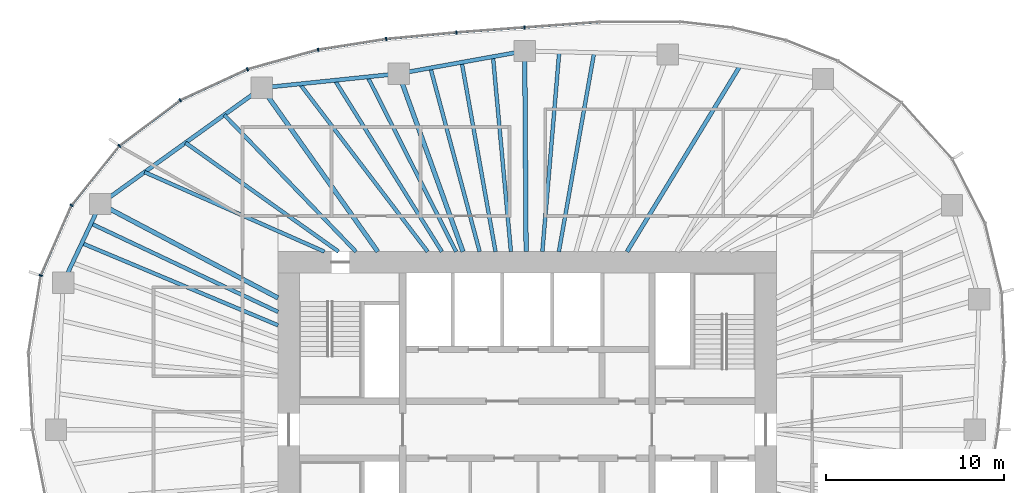
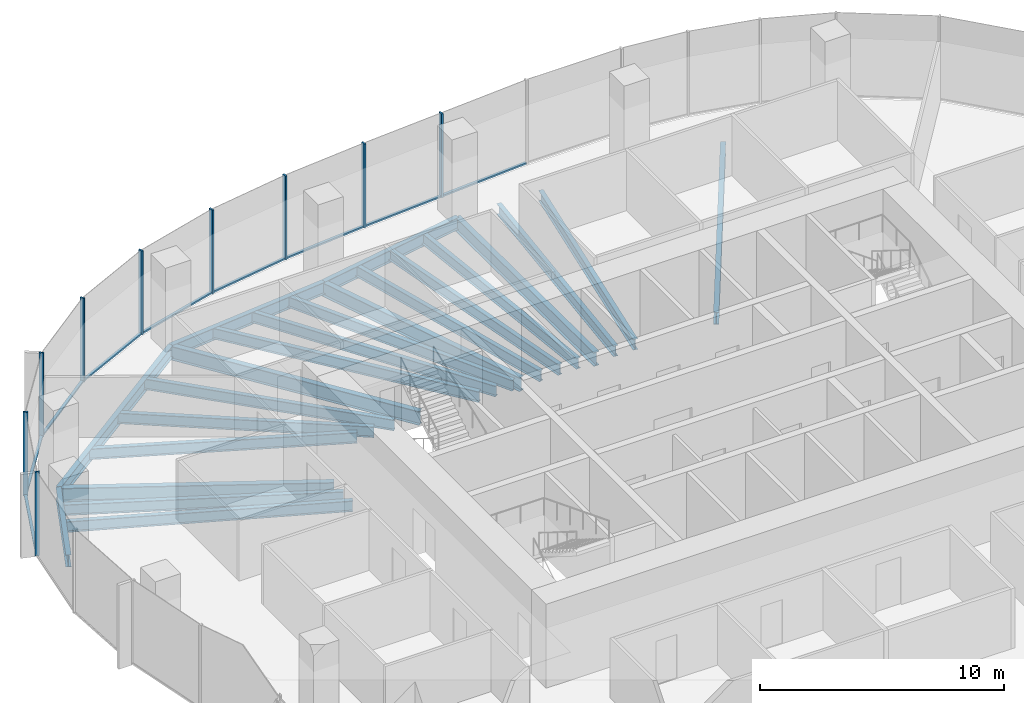
# One storey, part 5 of 12: 22 beams, 18 members, 6 elements without a shape of their own.
"""IFC4 building model written with IfcOpenShell, lengths in metres."""

from ifc_helpers import new_model, si_unit, direction, frame, origin, origin_2d, place, context, subcontext, project, spatial, rectangle, i_section, extrude, material, material_profile, profile_set, type_object, element, aggregate, save


model = new_model("IFC4")

# Units and contexts
model_context = context("Model", 3, precision=1e-05, world=origin(), true_north=direction((0.0, 1.0)))
body_context = subcontext(model_context, "Body", "Model", "MODEL_VIEW")
ifc_project = project(units=[si_unit("LENGTHUNIT", "METRE"), si_unit("AREAUNIT", "SQUARE_METRE"), si_unit("VOLUMEUNIT", "CUBIC_METRE"), si_unit("PLANEANGLEUNIT", "RADIAN"), si_unit("MASSUNIT", "GRAM", prefix="KILO")], contexts=[model_context])

# Site, building, storey
site_placement = place(None, origin())
site = spatial("IfcSite", under=ifc_project, at=site_placement, CompositionType="ELEMENT")
building_placement = place(site_placement, origin())
building = spatial("IfcBuilding", under=site, at=building_placement, Name="Ghaith Harvest Tower", CompositionType="ELEMENT")
storey_placement = place(building_placement, frame((0.0, 0.0, 249.39990234375)))
storey = spatial("IfcBuildingStorey", under=building, at=storey_placement, Name="L55", CompositionType="ELEMENT", Elevation=249.39990234375)

# Curtain wall, members
ifc_material_1 = material(Name="Black anodised aluminium and fritted glass", Category="aluminium")
curtain_wall_type = type_object("IfcCurtainWallType", Name="CW-H CURTAIN WALL", PredefinedType="NOTDEFINED", material=ifc_material_1)
curtain_wall_1_placement = place(storey_placement, origin())
curtain_wall_1 = element("IfcCurtainWall", 1, at=curtain_wall_1_placement, inside=storey, type_object=curtain_wall_type, Name="Curtain wall CW-H bay 06 L55", PredefinedType="NOTDEFINED")
ifc_material_2 = material(Name="Aluminium, black anodised", Category="aluminium")
ifc_material_profile_1 = material_profile(ifc_material_2, rectangle(XDim=0.080078125, YDim=0.199951171875, at=origin_2d()), Name="CW-H MULLION 80x200")
ifc_profile_set_1 = profile_set([ifc_material_profile_1], Name="Aluminium, black anodised")
member_type_1 = type_object("IfcMemberType", Name="CW-H MULLION 80x200", PredefinedType="MULLION", material=ifc_profile_set_1)
member_1_placement = place(storey_placement, frame((-0.154541015625, 22.590576171875, 0.0), z_axis=(0.0, 0.0, 1.0), x_axis=(-0.997329249665, -0.073036756239, 0.0)))
member_1 = element("IfcMember", 2, at=member_1_placement, type_object=member_type_1, Name="CW-H mullion 1 bay 06 L55", PredefinedType="MULLION", context=body_context, shape_type="SweptSolid", body=[
    extrude(rectangle(XDim=0.080078125, YDim=0.199951171875, at=origin_2d()), origin(), (0.0, 0.0, 1.0), 4.2001953125),
])
member_2_placement = place(storey_placement, frame((-3.984375, 22.310302734375, 0.0), z_axis=(0.0, 0.0, 1.0), x_axis=(-0.996522526822, -0.083323787336, 0.0)))
member_2 = element("IfcMember", 3, at=member_2_placement, type_object=member_type_1, Name="CW-H mullion 2 bay 06 L55", PredefinedType="MULLION", context=body_context, shape_type="SweptSolid", body=[
    extrude(rectangle(XDim=0.080078125, YDim=0.199951171875, at=origin_2d()), origin(), (0.0, 0.0, 1.0), 4.2001953125),
])

curtain_wall_2_placement = place(storey_placement, origin())
curtain_wall_2 = element("IfcCurtainWall", 4, at=curtain_wall_2_placement, inside=storey, type_object=curtain_wall_type, Name="Curtain wall CW-H bay 07 L55", PredefinedType="NOTDEFINED")
member_3_placement = place(storey_placement, frame((-7.924560546875, 21.94091796875, 0.0), z_axis=(0.0, 0.0, 1.0), x_axis=(-0.992235485325, -0.124373396119, 0.0)))
member_3 = element("IfcMember", 5, at=member_3_placement, type_object=member_type_1, Name="CW-H mullion 1 bay 07 L55", PredefinedType="MULLION", context=body_context, shape_type="SweptSolid", body=[
    extrude(rectangle(XDim=0.080078125, YDim=0.199951171875, at=origin_2d()), origin(), (0.0, 0.0, 1.0), 4.2001953125),
])
member_4_placement = place(storey_placement, frame((-11.75244140625, 21.336669921875, 0.0), z_axis=(0.0, 0.0, 1.0), x_axis=(-0.977086484172, -0.212842670646, 0.0)))
member_4 = element("IfcMember", 6, at=member_4_placement, type_object=member_type_1, Name="CW-H mullion 2 bay 07 L55", PredefinedType="MULLION", context=body_context, shape_type="SweptSolid", body=[
    extrude(rectangle(XDim=0.080078125, YDim=0.199951171875, at=origin_2d()), origin(), (0.0, 0.0, 1.0), 4.2001953125),
])

curtain_wall_3_placement = place(storey_placement, origin())
curtain_wall_3 = element("IfcCurtainWall", 7, at=curtain_wall_3_placement, inside=storey, type_object=curtain_wall_type, Name="Curtain wall CW-H bay 08 L55", PredefinedType="NOTDEFINED")
member_5_placement = place(storey_placement, frame((-15.720947265625, 20.242431640625, 0.0), z_axis=(0.0, 0.0, 1.0), x_axis=(-0.938930986476, -0.344105510906, 0.0)))
member_5 = element("IfcMember", 8, at=member_5_placement, type_object=member_type_1, Name="CW-H mullion 1 bay 08 L55", PredefinedType="MULLION", context=body_context, shape_type="SweptSolid", body=[
    extrude(rectangle(XDim=0.080078125, YDim=0.199951171875, at=origin_2d()), origin(), (0.0, 0.0, 1.0), 4.2001953125),
])
member_6_placement = place(storey_placement, frame((-19.4951171875, 18.4990234375, 0.0), z_axis=(0.0, 0.0, 1.0), x_axis=(-0.857998754004, -0.513651767376, 0.0)))
member_6 = element("IfcMember", 9, at=member_6_placement, type_object=member_type_1, Name="CW-H mullion 2 bay 08 L55", PredefinedType="MULLION", context=body_context, shape_type="SweptSolid", body=[
    extrude(rectangle(XDim=0.080078125, YDim=0.199951171875, at=origin_2d()), origin(), (0.0, 0.0, 1.0), 4.2001953125),
])

curtain_wall_4_placement = place(storey_placement, origin())
curtain_wall_4 = element("IfcCurtainWall", 10, at=curtain_wall_4_placement, inside=storey, type_object=curtain_wall_type, Name="Curtain wall CW-H bay 09 L55", PredefinedType="NOTDEFINED")
member_7_placement = place(storey_placement, frame((-22.908203125, 15.939697265625, 0.0), z_axis=(0.0, 0.0, 1.0), x_axis=(-0.719146135082, -0.694858860774, 0.0)))
member_7 = element("IfcMember", 11, at=member_7_placement, type_object=member_type_1, Name="CW-H mullion 1 bay 09 L55", PredefinedType="MULLION", context=body_context, shape_type="SweptSolid", body=[
    extrude(rectangle(XDim=0.080078125, YDim=0.199951171875, at=origin_2d()), origin(), (0.0, 0.0, 1.0), 4.2001953125),
])
member_8_placement = place(storey_placement, frame((-25.599609375, 12.6005859375, 0.0), z_axis=(0.0, 0.0, 1.0), x_axis=(-0.518769201232, -0.854914332464, 0.0)))
member_8 = element("IfcMember", 12, at=member_8_placement, type_object=member_type_1, Name="CW-H mullion 2 bay 09 L55", PredefinedType="MULLION", context=body_context, shape_type="SweptSolid", body=[
    extrude(rectangle(XDim=0.080078125, YDim=0.199951171875, at=origin_2d()), origin(), (0.0, 0.0, 1.0), 4.2001953125),
])

# Curtain wall, member
curtain_wall_5_placement = place(storey_placement, origin())
curtain_wall_5 = element("IfcCurtainWall", 13, at=curtain_wall_5_placement, inside=storey, type_object=curtain_wall_type, Name="Curtain wall CW-H bay 10 L55", PredefinedType="NOTDEFINED")
member_9_placement = place(storey_placement, frame((-27.32568359375, 8.659912109375, 0.0), z_axis=(0.0, 0.0, 1.0), x_axis=(-0.280520268431, -0.959848102045, 0.0)))
member_9 = element("IfcMember", 14, at=member_9_placement, type_object=member_type_1, Name="CW-H mullion 1 bay 10 L55", PredefinedType="MULLION", context=body_context, shape_type="SweptSolid", body=[
    extrude(rectangle(XDim=0.080078125, YDim=0.199951171875, at=origin_2d()), origin(), (0.0, 0.0, 1.0), 4.2001953125),
])
aggregate(curtain_wall_5, [member_9])

curtain_wall_6_placement = place(storey_placement, origin())
curtain_wall_6 = element("IfcCurtainWall", 15, at=curtain_wall_6_placement, inside=storey, type_object=curtain_wall_type, Name="Curtain wall CW-H bay 05 L55", PredefinedType="NOTDEFINED")
ifc_material_3 = material(Name="Aluminium, black anodised", Category="aluminium")
ifc_material_profile_2 = material_profile(ifc_material_3, rectangle(XDim=0.1298828125, YDim=0.080078125, at=origin_2d()), Name="CW-H TRANSOM 130x80")
ifc_profile_set_2 = profile_set([ifc_material_profile_2], Name="Aluminium, black anodised")
member_type_2 = type_object("IfcMemberType", Name="CW-H TRANSOM 130x80", PredefinedType="USERDEFINED", material=ifc_profile_set_2)
member_10_placement = place(storey_placement, frame((4.01953125, 22.896484375, 0.0400390625), z_axis=(-0.997325457985, -0.07308851384, 0.0), x_axis=(0.07308851384, -0.997325457985, 0.0)))
member_10 = element("IfcMember", 16, at=member_10_placement, type_object=member_type_2, Name="CW-H transom 2 bay 05 L55", ObjectType="TRANSOM", PredefinedType="USERDEFINED", context=body_context, shape_type="SweptSolid", body=[
    extrude(rectangle(XDim=0.1298828125, YDim=0.080078125, at=origin_2d()), origin(), (0.0, 0.0, 1.0), 4.145263671875),
])
aggregate(curtain_wall_6, [member_10])

# Member
member_11_placement = place(storey_placement, frame((-0.194580078125, 22.587646484375, 0.0400390625), z_axis=(-0.997332916649, -0.072986665689, 0.0), x_axis=(0.072986665689, -0.997332916649, 0.0)))
member_11 = element("IfcMember", 17, at=member_11_placement, type_object=member_type_2, Name="CW-H transom 1 bay 06 L55", ObjectType="TRANSOM", PredefinedType="USERDEFINED", context=body_context, shape_type="SweptSolid", body=[
    extrude(rectangle(XDim=0.1298828125, YDim=0.080078125, at=origin_2d()), origin(), (0.0, 0.0, 1.0), 3.759765625),
])

member_12_placement = place(storey_placement, frame((-4.024169921875, 22.306640625, 0.0400390625), z_axis=(-0.995631116984, -0.093373866217, 0.0), x_axis=(0.093373866217, -0.995631116984, 0.0)))
member_12 = element("IfcMember", 18, at=member_12_placement, type_object=member_type_2, Name="CW-H transom 2 bay 06 L55", ObjectType="TRANSOM", PredefinedType="USERDEFINED", context=body_context, shape_type="SweptSolid", body=[
    extrude(rectangle(XDim=0.1298828125, YDim=0.080078125, at=origin_2d()), origin(), (0.0, 0.0, 1.0), 3.87744140625),
])

aggregate(curtain_wall_1, [member_1, member_11, member_2, member_12])

member_13_placement = place(storey_placement, frame((-7.964111328125, 21.9345703125, 0.0400390625), z_axis=(-0.98776765914, -0.155932843097, 0.0), x_axis=(0.155932843097, -0.98776765914, 0.0)))
member_13 = element("IfcMember", 19, at=member_13_placement, type_object=member_type_2, Name="CW-H transom 1 bay 07 L55", ObjectType="TRANSOM", PredefinedType="USERDEFINED", context=body_context, shape_type="SweptSolid", body=[
    extrude(rectangle(XDim=0.1298828125, YDim=0.080078125, at=origin_2d()), origin(), (0.0, 0.0, 1.0), 3.795166015625),
])

member_14_placement = place(storey_placement, frame((-11.791015625, 21.325927734375, 0.0400390625), z_axis=(-0.964038584245, -0.265762315024, 0.0), x_axis=(0.265762315024, -0.964038584245, 0.0)))
member_14 = element("IfcMember", 20, at=member_14_placement, type_object=member_type_2, Name="CW-H transom 2 bay 07 L55", ObjectType="TRANSOM", PredefinedType="USERDEFINED", context=body_context, shape_type="SweptSolid", body=[
    extrude(rectangle(XDim=0.1298828125, YDim=0.080078125, at=origin_2d()), origin(), (0.0, 0.0, 1.0), 4.03662109375),
])

aggregate(curtain_wall_2, [member_3, member_13, member_4, member_14])

member_15_placement = place(storey_placement, frame((-15.75732421875, 20.2255859375, 0.0400390625), z_axis=(-0.907831404762, -0.419335355686, 0.0), x_axis=(0.419335355686, -0.907831404762, 0.0)))
member_15 = element("IfcMember", 21, at=member_15_placement, type_object=member_type_2, Name="CW-H transom 1 bay 08 L55", ObjectType="TRANSOM", PredefinedType="USERDEFINED", context=body_context, shape_type="SweptSolid", body=[
    extrude(rectangle(XDim=0.1298828125, YDim=0.080078125, at=origin_2d()), origin(), (0.0, 0.0, 1.0), 4.0771484375),
])

member_16_placement = place(storey_placement, frame((-19.527099609375, 18.47509765625, 0.0400390625), z_axis=(-0.800041988873, -0.599944010755, 0.0), x_axis=(0.599944010755, -0.800041988873, 0.0)))
member_16 = element("IfcMember", 22, at=member_16_placement, type_object=member_type_2, Name="CW-H transom 2 bay 08 L55", ObjectType="TRANSOM", PredefinedType="USERDEFINED", context=body_context, shape_type="SweptSolid", body=[
    extrude(rectangle(XDim=0.1298828125, YDim=0.080078125, at=origin_2d()), origin(), (0.0, 0.0, 1.0), 4.186279296875),
])

aggregate(curtain_wall_3, [member_5, member_15, member_6, member_16])

member_17_placement = place(storey_placement, frame((-22.933349609375, 15.90869140625, 0.0400390625), z_axis=(-0.6275347306, -0.778588570357, 0.0), x_axis=(0.778588570357, -0.6275347306, 0.0)))
member_17 = element("IfcMember", 23, at=member_17_placement, type_object=member_type_2, Name="CW-H transom 1 bay 09 L55", ObjectType="TRANSOM", PredefinedType="USERDEFINED", context=body_context, shape_type="SweptSolid", body=[
    extrude(rectangle(XDim=0.1298828125, YDim=0.080078125, at=origin_2d()), origin(), (0.0, 0.0, 1.0), 4.208740234375),
])

member_18_placement = place(storey_placement, frame((-25.61572265625, 12.56396484375, 0.0400390625), z_axis=(-0.401185844746, -0.915996680112, 0.0), x_axis=(0.915996680112, -0.401185844746, 0.0)))
member_18 = element("IfcMember", 24, at=member_18_placement, type_object=member_type_2, Name="CW-H transom 2 bay 09 L55", ObjectType="TRANSOM", PredefinedType="USERDEFINED", context=body_context, shape_type="SweptSolid", body=[
    extrude(rectangle(XDim=0.1298828125, YDim=0.080078125, at=origin_2d()), origin(), (0.0, 0.0, 1.0), 4.22216796875),
])

aggregate(curtain_wall_4, [member_7, member_17, member_8, member_18])

# Beams
ifc_material_4 = material(Name="Steel ASTM A992 Grade 50", Category="steel")
ifc_material_profile_3 = material_profile(ifc_material_4, i_section(OverallWidth=0.22900390625, OverallDepth=0.612060546875, WebThickness=0.011962890625, FlangeThickness=0.01953125, at=origin_2d()), Name="W610X125")
ifc_profile_set_3 = profile_set([ifc_material_profile_3], Name="Steel ASTM A992 Grade 50")
beam_type_1 = type_object("IfcBeamType", Name="E610-125 W610X125", PredefinedType="SPANDREL", material=ifc_profile_set_3)
beam_1_placement = place(storey_placement, frame((-0.14599609375, 21.27099609375, -0.475830078125), z_axis=(-0.984177047684, -0.177187863051, 0.0), x_axis=(0.177187863051, -0.984177047684, 0.0)))
element("IfcBeam", 25, at=beam_1_placement, inside=storey, type_object=beam_type_1, Name="Edge beam E06 L55", PredefinedType="SPANDREL", context=body_context, shape_type="SweptSolid", body=[
    extrude(i_section(OverallWidth=0.22900390625, OverallDepth=0.612060546875, WebThickness=0.011962890625, FlangeThickness=0.01953125, at=origin_2d()), origin(), (0.0, 0.0, 1.0), 7.189697265625),
])
beam_2_placement = place(storey_placement, frame((-7.221923828125, 19.9970703125, -0.475830078125), z_axis=(-0.994669141618, -0.103117887451, 0.0), x_axis=(0.103117887451, -0.994669141618, 0.0)))
element("IfcBeam", 26, at=beam_2_placement, inside=storey, type_object=beam_type_1, Name="Edge beam E07 L55", PredefinedType="SPANDREL", context=body_context, shape_type="SweptSolid", body=[
    extrude(i_section(OverallWidth=0.22900390625, OverallDepth=0.612060546875, WebThickness=0.011962890625, FlangeThickness=0.01953125, at=origin_2d()), origin(), (0.0, 0.0, 1.0), 7.730224609375),
])
beam_3_placement = place(storey_placement, frame((-14.910888671875, 19.199951171875, -0.475830078125), z_axis=(-0.812050311838, -0.583587432219, 0.0), x_axis=(0.583587432219, -0.812050311838, 0.0)))
element("IfcBeam", 27, at=beam_3_placement, inside=storey, type_object=beam_type_1, Name="Edge beam E08 L55", PredefinedType="SPANDREL", context=body_context, shape_type="SweptSolid", body=[
    extrude(i_section(OverallWidth=0.22900390625, OverallDepth=0.612060546875, WebThickness=0.011962890625, FlangeThickness=0.01953125, at=origin_2d()), origin(), (0.0, 0.0, 1.0), 11.175537109375),
])
beam_4_placement = place(storey_placement, frame((-23.986083984375, 12.677978515625, -0.475830078125), z_axis=(-0.426170247297, -0.904642979478, 0.0), x_axis=(0.904642979478, -0.426170247297, 0.0)))
element("IfcBeam", 28, at=beam_4_placement, inside=storey, type_object=beam_type_1, Name="Edge beam E09 L55", PredefinedType="SPANDREL", context=body_context, shape_type="SweptSolid", body=[
    extrude(i_section(OverallWidth=0.22900390625, OverallDepth=0.612060546875, WebThickness=0.011962890625, FlangeThickness=0.01953125, at=origin_2d()), origin(), (0.0, 0.0, 1.0), 4.882568359375),
])
ifc_material_5 = material(Name="Steel ASTM A992 Grade 50", Category="steel")
ifc_material_profile_4 = material_profile(ifc_material_5, i_section(OverallWidth=0.256103515625, OverallDepth=0.693115234375, WebThickness=0.014404296875, FlangeThickness=0.023681640625, at=origin_2d()), Name="W690X170")
ifc_profile_set_4 = profile_set([ifc_material_profile_4], Name="Steel ASTM A992 Grade 50")
beam_type_2 = type_object("IfcBeamType", Name="G690-170 W690X170", PredefinedType="BEAM", material=ifc_profile_set_4)
beam_5_placement = place(storey_placement, frame((-0.068359375, 10.0, -0.516357421875), z_axis=(-0.006888022705, 0.99997627729, 0.0), x_axis=(-0.99997627729, -0.006888022705, 0.0)))
element("IfcBeam", 29, at=beam_5_placement, inside=storey, type_object=beam_type_2, Name="Radial girder G06 L55", PredefinedType="BEAM", context=body_context, shape_type="SweptSolid", body=[
    extrude(i_section(OverallWidth=0.256103515625, OverallDepth=0.693115234375, WebThickness=0.014404296875, FlangeThickness=0.023681640625, at=origin_2d()), origin(), (0.0, 0.0, 1.0), 11.271240234375),
])
beam_6_placement = place(storey_placement, frame((-3.61181640625, 10.0, -0.516357421875), z_axis=(-0.339648979266, 0.940552269086, 0.0), x_axis=(-0.940552269086, -0.339648979266, 0.0)))
element("IfcBeam", 30, at=beam_6_placement, inside=storey, type_object=beam_type_2, Name="Radial girder G07 L55", PredefinedType="BEAM", context=body_context, shape_type="SweptSolid", body=[
    extrude(i_section(OverallWidth=0.256103515625, OverallDepth=0.693115234375, WebThickness=0.014404296875, FlangeThickness=0.023681640625, at=origin_2d()), origin(), (0.0, 0.0, 1.0), 10.62890625),
])
beam_7_placement = place(storey_placement, frame((-8.39990234375, 10.0, -0.516357421875), z_axis=(-0.577683734365, 0.816260683268, 0.0), x_axis=(-0.816260683268, -0.577683734365, 0.0)))
element("IfcBeam", 31, at=beam_7_placement, inside=storey, type_object=beam_type_2, Name="Radial girder G08 L55", PredefinedType="BEAM", context=body_context, shape_type="SweptSolid", body=[
    extrude(i_section(OverallWidth=0.256103515625, OverallDepth=0.693115234375, WebThickness=0.014404296875, FlangeThickness=0.023681640625, at=origin_2d()), origin(), (0.0, 0.0, 1.0), 11.270751953125),
])
beam_8_placement = place(storey_placement, frame((-14.0, 7.39990234375, -0.516357421875), z_axis=(-0.884105273337, 0.467287776062, 0.0), x_axis=(-0.467287776062, -0.884105273337, 0.0)))
element("IfcBeam", 32, at=beam_8_placement, inside=storey, type_object=beam_type_2, Name="Radial girder G09 L55", PredefinedType="BEAM", context=body_context, shape_type="SweptSolid", body=[
    extrude(i_section(OverallWidth=0.256103515625, OverallDepth=0.693115234375, WebThickness=0.014404296875, FlangeThickness=0.023681640625, at=origin_2d()), origin(), (0.0, 0.0, 1.0), 11.295166015625),
])
ifc_material_6 = material(Name="Steel ASTM A992 Grade 50", Category="steel")
ifc_material_profile_5 = material_profile(ifc_material_6, i_section(OverallWidth=0.2109375, OverallDepth=0.5390625, WebThickness=0.01171875, FlangeThickness=0.018798828125, at=origin_2d()), Name="W530X109")
ifc_profile_set_5 = profile_set([ifc_material_profile_5], Name="Steel ASTM A992 Grade 50")
beam_type_3 = type_object("IfcBeamType", Name="J530-109 W530X109", PredefinedType="JOIST", material=ifc_profile_set_5)
beam_9_placement = place(storey_placement, frame((1.772705078125, 10.0, -0.439453125), z_axis=(0.17455599258, 0.984647249249, 0.0), x_axis=(-0.984647249249, 0.17455599258, 0.0)))
element("IfcBeam", 33, at=beam_9_placement, inside=storey, type_object=beam_type_3, Name="Joist J05.2 L55", PredefinedType="JOIST", context=body_context, shape_type="SweptSolid", body=[
    extrude(i_section(OverallWidth=0.2109375, OverallDepth=0.5390625, WebThickness=0.01171875, FlangeThickness=0.018798828125, at=origin_2d()), origin(), (0.0, 0.0, 1.0), 11.3486328125),
])
beam_10_placement = place(storey_placement, frame((0.844970703125, 10.0, -0.439453125), z_axis=(0.084213263804, 0.996447753873, 0.0), x_axis=(-0.996447753873, 0.084213263804, 0.0)))
element("IfcBeam", 34, at=beam_10_placement, inside=storey, type_object=beam_type_3, Name="Joist J05.3 L55", PredefinedType="JOIST", context=body_context, shape_type="SweptSolid", body=[
    extrude(i_section(OverallWidth=0.2109375, OverallDepth=0.5390625, WebThickness=0.01171875, FlangeThickness=0.018798828125, at=origin_2d()), origin(), (0.0, 0.0, 1.0), 11.262939453125),
])
beam_11_placement = place(storey_placement, frame((-0.92041015625, 10.0, -0.439453125), z_axis=(-0.091648687045, 0.995791402937, 0.0), x_axis=(-0.995791402937, -0.091648687045, 0.0)))
element("IfcBeam", 35, at=beam_11_placement, inside=storey, type_object=beam_type_3, Name="Joist J06.1 L55", PredefinedType="JOIST", context=body_context, shape_type="SweptSolid", body=[
    extrude(i_section(OverallWidth=0.2109375, OverallDepth=0.5390625, WebThickness=0.01171875, FlangeThickness=0.018798828125, at=origin_2d()), origin(), (0.0, 0.0, 1.0), 10.99658203125),
])
beam_12_placement = place(storey_placement, frame((-1.785888671875, 10.0, -0.439453125), z_axis=(-0.175793767479, 0.984427016754, 0.0), x_axis=(-0.984427016754, -0.175793767479, 0.0)))
element("IfcBeam", 36, at=beam_12_placement, inside=storey, type_object=beam_type_3, Name="Joist J06.2 L55", PredefinedType="JOIST", context=body_context, shape_type="SweptSolid", body=[
    extrude(i_section(OverallWidth=0.2109375, OverallDepth=0.5390625, WebThickness=0.01171875, FlangeThickness=0.018798828125, at=origin_2d()), origin(), (0.0, 0.0, 1.0), 10.802001953125),
])
beam_13_placement = place(storey_placement, frame((-2.677978515625, 10.0, -0.439453125), z_axis=(-0.258674007994, 0.965964677195, 0.0), x_axis=(-0.965964677195, -0.258674007994, 0.0)))
element("IfcBeam", 37, at=beam_13_placement, inside=storey, type_object=beam_type_3, Name="Joist J06.3 L55", PredefinedType="JOIST", context=body_context, shape_type="SweptSolid", body=[
    extrude(i_section(OverallWidth=0.2109375, OverallDepth=0.5390625, WebThickness=0.01171875, FlangeThickness=0.018798828125, at=origin_2d()), origin(), (0.0, 0.0, 1.0), 10.68115234375),
])
beam_14_placement = place(storey_placement, frame((-4.0, 10.0, -0.439453125), z_axis=(-0.451646219201, 0.892197115374, 0.0), x_axis=(-0.892197115374, -0.451646219201, 0.0)))
element("IfcBeam", 38, at=beam_14_placement, inside=storey, type_object=beam_type_3, Name="Joist J07.1 L55", PredefinedType="JOIST", context=body_context, shape_type="SweptSolid", body=[
    extrude(i_section(OverallWidth=0.2109375, OverallDepth=0.5390625, WebThickness=0.01171875, FlangeThickness=0.018798828125, at=origin_2d()), origin(), (0.0, 0.0, 1.0), 11.001953125),
])
beam_15_placement = place(storey_placement, frame((-4.800048828125, 10.0, -0.439453125), z_axis=(-0.529627564093, 0.848230300893, 0.0), x_axis=(-0.848230300893, -0.529627564093, 0.0)))
element("IfcBeam", 39, at=beam_15_placement, inside=storey, type_object=beam_type_3, Name="Joist J07.2 L55", PredefinedType="JOIST", context=body_context, shape_type="SweptSolid", body=[
    extrude(i_section(OverallWidth=0.2109375, OverallDepth=0.5390625, WebThickness=0.01171875, FlangeThickness=0.018798828125, at=origin_2d()), origin(), (0.0, 0.0, 1.0), 11.34716796875),
])
beam_16_placement = place(storey_placement, frame((-5.60009765625, 10.0, -0.439453125), z_axis=(-0.605976135502, 0.795482823952, 0.0), x_axis=(-0.795482823952, -0.605976135502, 0.0)))
element("IfcBeam", 40, at=beam_16_placement, inside=storey, type_object=beam_type_3, Name="Joist J07.3 L55", PredefinedType="JOIST", context=body_context, shape_type="SweptSolid", body=[
    extrude(i_section(OverallWidth=0.2109375, OverallDepth=0.5390625, WebThickness=0.01171875, FlangeThickness=0.018798828125, at=origin_2d()), origin(), (0.0, 0.0, 1.0), 11.84326171875),
])
beam_17_placement = place(storey_placement, frame((-9.626708984375, 10.0, -0.439453125), z_axis=(-0.69354049188, 0.720417647009, 0.0), x_axis=(-0.720417647009, -0.69354049188, 0.0)))
element("IfcBeam", 41, at=beam_17_placement, inside=storey, type_object=beam_type_3, Name="Joist J08.1 L55", PredefinedType="JOIST", context=body_context, shape_type="SweptSolid", body=[
    extrude(i_section(OverallWidth=0.2109375, OverallDepth=0.5390625, WebThickness=0.01171875, FlangeThickness=0.018798828125, at=origin_2d()), origin(), (0.0, 0.0, 1.0), 10.6640625),
])
beam_18_placement = place(storey_placement, frame((-10.60009765625, 10.0, -0.439453125), z_axis=(-0.814837070547, 0.579690045164, 0.0), x_axis=(-0.579690045164, -0.814837070547, 0.0)))
element("IfcBeam", 42, at=beam_18_placement, inside=storey, type_object=beam_type_3, Name="Joist J08.2 L55", PredefinedType="JOIST", context=body_context, shape_type="SweptSolid", body=[
    extrude(i_section(OverallWidth=0.2109375, OverallDepth=0.5390625, WebThickness=0.01171875, FlangeThickness=0.018798828125, at=origin_2d()), origin(), (0.0, 0.0, 1.0), 10.5537109375),
])
beam_19_placement = place(storey_placement, frame((-11.39990234375, 10.0, -0.439453125), z_axis=(-0.914561290029, 0.40444733499, 0.0), x_axis=(-0.40444733499, -0.914561290029, 0.0)))
element("IfcBeam", 43, at=beam_19_placement, inside=storey, type_object=beam_type_3, Name="Joist J08.3 L55", PredefinedType="JOIST", context=body_context, shape_type="SweptSolid", body=[
    extrude(i_section(OverallWidth=0.2109375, OverallDepth=0.5390625, WebThickness=0.01171875, FlangeThickness=0.018798828125, at=origin_2d()), origin(), (0.0, 0.0, 1.0), 11.041748046875),
])
beam_20_placement = place(storey_placement, frame((-14.0, 6.614990234375, -0.439453125), z_axis=(-0.904154184779, 0.427206285238, 0.0), x_axis=(-0.427206285238, -0.904154184779, 0.0)))
element("IfcBeam", 44, at=beam_20_placement, inside=storey, type_object=beam_type_3, Name="Joist J09.1 L55", PredefinedType="JOIST", context=body_context, shape_type="SweptSolid", body=[
    extrude(i_section(OverallWidth=0.2109375, OverallDepth=0.5390625, WebThickness=0.01171875, FlangeThickness=0.018798828125, at=origin_2d()), origin(), (0.0, 0.0, 1.0), 11.61767578125),
])
beam_21_placement = place(storey_placement, frame((-14.0, 5.862548828125, -0.439453125), z_axis=(-0.922380898158, 0.386281605455, 0.0), x_axis=(-0.386281605455, -0.922380898158, 0.0)))
element("IfcBeam", 45, at=beam_21_placement, inside=storey, type_object=beam_type_3, Name="Joist J09.2 L55", PredefinedType="JOIST", context=body_context, shape_type="SweptSolid", body=[
    extrude(i_section(OverallWidth=0.2109375, OverallDepth=0.5390625, WebThickness=0.01171875, FlangeThickness=0.018798828125, at=origin_2d()), origin(), (0.0, 0.0, 1.0), 11.94970703125),
])
ifc_material_7 = material(Name="Steel ASTM A992 Grade 50", Category="steel")
ifc_material_profile_6 = material_profile(ifc_material_7, i_section(OverallWidth=0.22900390625, OverallDepth=0.612060546875, WebThickness=0.011962890625, FlangeThickness=0.01953125, at=origin_2d()), Name="W610X125")
ifc_profile_set_6 = profile_set([ifc_material_profile_6], Name="Steel ASTM A992 Grade 50")
beam_type_4 = type_object("IfcBeamType", Name="J610-125 W610X125", PredefinedType="JOIST", material=ifc_profile_set_6)
beam_22_placement = place(storey_placement, frame((5.60009765625, 10.0, -0.475830078125), z_axis=(0.519863845761, 0.854249133374, 0.0), x_axis=(-0.854249133374, 0.519863845761, 0.0)))
element("IfcBeam", 46, at=beam_22_placement, inside=storey, type_object=beam_type_4, Name="Joist J04.2 L55", PredefinedType="JOIST", context=body_context, shape_type="SweptSolid", body=[
    extrude(i_section(OverallWidth=0.22900390625, OverallDepth=0.612060546875, WebThickness=0.011962890625, FlangeThickness=0.01953125, at=origin_2d()), origin(), (0.0, 0.0, 1.0), 12.209716796875),
])

save(model, "model.ifc")
